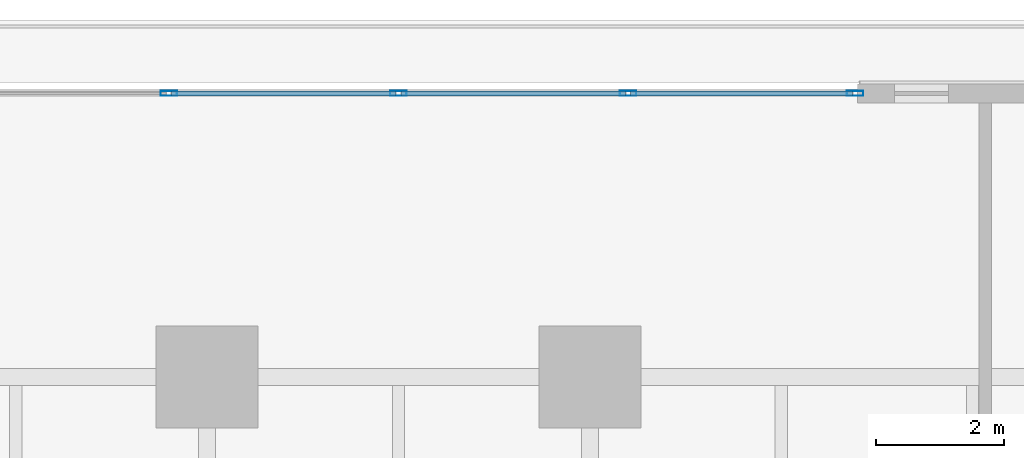
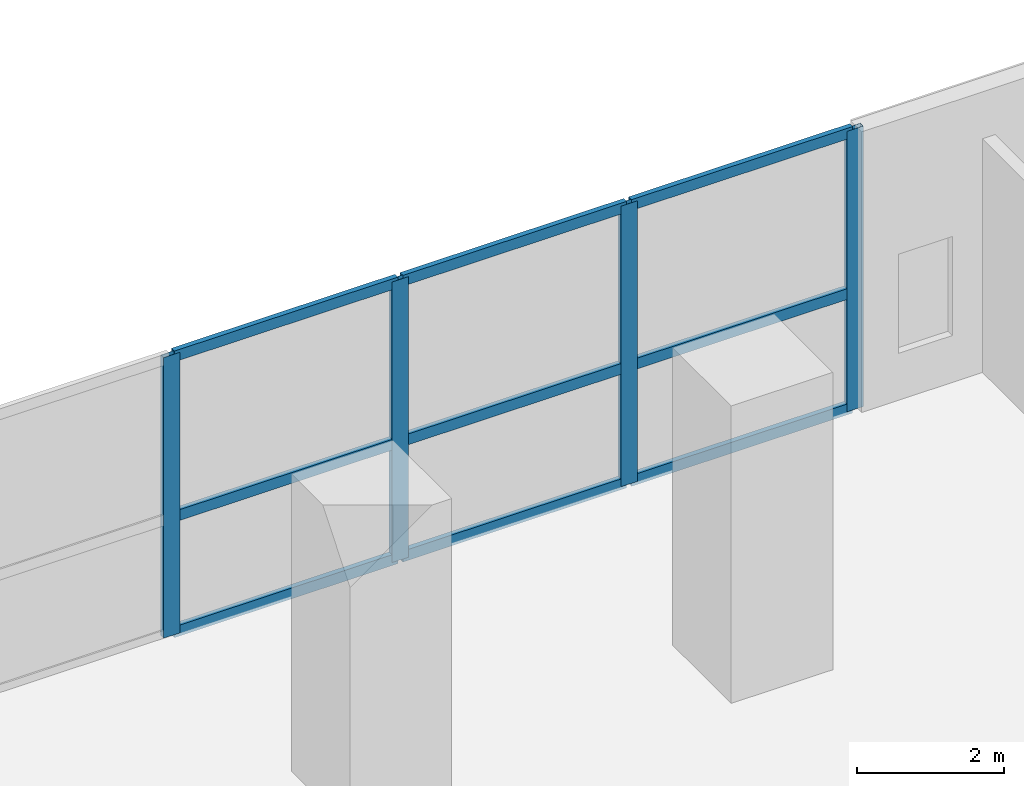
# One storey, part 8 of 27: 13 members, 1 element without a shape of its own.
"""IFC4 building model written with IfcOpenShell, lengths in metres."""

from ifc_helpers import new_model, si_unit, direction, frame, origin, origin_2d, place, context, subcontext, project, spatial, hollow_rectangle, extrude, material, layer, layer_set, material_profile, profile_set, type_object, element, aggregate, save


model = new_model("IFC4")

# Units and contexts
model_context = context("Model", 3, precision=1e-05, world=origin(), true_north=direction((0.0, 1.0)))
body_context = subcontext(model_context, "Body", "Model", "MODEL_VIEW")
ifc_project = project(units=[si_unit("LENGTHUNIT", "METRE"), si_unit("AREAUNIT", "SQUARE_METRE"), si_unit("VOLUMEUNIT", "CUBIC_METRE"), si_unit("PLANEANGLEUNIT", "RADIAN"), si_unit("MASSUNIT", "GRAM", prefix="KILO")], contexts=[model_context])

# Site, building, storey
site_placement = place(None, origin())
site = spatial("IfcSite", under=ifc_project, at=site_placement, CompositionType="ELEMENT")
building_placement = place(site_placement, origin())
building = spatial("IfcBuilding", under=site, at=building_placement, Name="Tanjung Sevakor Pilgrim Tower", CompositionType="ELEMENT")
storey_placement = place(building_placement, frame((0.0, 0.0, 9.89990234375)))
storey = spatial("IfcBuildingStorey", under=building, at=storey_placement, Name="L03", CompositionType="ELEMENT", Elevation=9.89990234375)

# Curtain wall, members
ifc_material_1 = material(Name="Aluminium 6063-T6 and Low-E Glass", Category="aluminium")
ifc_layer = layer(ifc_material_1, 0.179931640625)
ifc_layer_set = layer_set([ifc_layer], Name="CW-SYS-POD")
curtain_wall_type = type_object("IfcCurtainWallType", Name="CW-SYS-POD", PredefinedType="NOTDEFINED", material=ifc_layer_set)
curtain_wall_placement = place(storey_placement, origin())
curtain_wall = element("IfcCurtainWall", 1, at=curtain_wall_placement, inside=storey, type_object=curtain_wall_type, Name="L03 Curtain Wall CW-POD-L03-N", PredefinedType="NOTDEFINED")
ifc_material_2 = material(Name="Aluminium 6063-T6", Category="aluminium")
ifc_material_profile_1 = material_profile(ifc_material_2, hollow_rectangle(XDim=0.080078125, YDim=0.260009765625, WallThickness=0.0048828125, at=origin_2d()))
ifc_profile_set_1 = profile_set([ifc_material_profile_1], Name="Aluminium 6063-T6")
member_type_1 = type_object("IfcMemberType", Name="TYPE-CWM-3", PredefinedType="MULLION", material=ifc_profile_set_1)
member_1_placement = place(storey_placement, frame((64.159912109375, 65.050048828125, 0.0), z_axis=(0.0, 0.0, 1.0), x_axis=(0.0, -1.0, 0.0)))
member_1 = element("IfcMember", 2, at=member_1_placement, type_object=member_type_1, Name="CW-POD mullion 1", PredefinedType="MULLION", context=body_context, shape_type="SweptSolid", body=[
    extrude(hollow_rectangle(XDim=0.080078125, YDim=0.260009765625, WallThickness=0.0048828125, at=origin_2d()), origin(), (0.0, 0.0, 1.0), 4.670166015625),
])
member_2_placement = place(storey_placement, frame((60.60009765625, 65.050048828125, 0.0), z_axis=(0.0, 0.0, 1.0), x_axis=(0.0, -1.0, 0.0)))
member_2 = element("IfcMember", 3, at=member_2_placement, type_object=member_type_1, Name="CW-POD mullion 2", PredefinedType="MULLION", context=body_context, shape_type="SweptSolid", body=[
    extrude(hollow_rectangle(XDim=0.080078125, YDim=0.260009765625, WallThickness=0.0048828125, at=origin_2d()), origin(), (0.0, 0.0, 1.0), 4.670166015625),
])
member_3_placement = place(storey_placement, frame((57.0, 65.050048828125, 0.0), z_axis=(0.0, 0.0, 1.0), x_axis=(0.0, -1.0, 0.0)))
member_3 = element("IfcMember", 4, at=member_3_placement, type_object=member_type_1, Name="CW-POD mullion 3", PredefinedType="MULLION", context=body_context, shape_type="SweptSolid", body=[
    extrude(hollow_rectangle(XDim=0.080078125, YDim=0.260009765625, WallThickness=0.0048828125, at=origin_2d()), origin(), (0.0, 0.0, 1.0), 4.670166015625),
])
member_4_placement = place(storey_placement, frame((53.39990234375, 65.050048828125, 0.0), z_axis=(0.0, 0.0, 1.0), x_axis=(0.0, -1.0, 0.0)))
member_4 = element("IfcMember", 5, at=member_4_placement, type_object=member_type_1, Name="CW-POD mullion 4", PredefinedType="MULLION", context=body_context, shape_type="SweptSolid", body=[
    extrude(hollow_rectangle(XDim=0.080078125, YDim=0.260009765625, WallThickness=0.0048828125, at=origin_2d()), origin(), (0.0, 0.0, 1.0), 4.670166015625),
])
ifc_material_3 = material(Name="Aluminium 6063-T6", Category="aluminium")
ifc_material_profile_2 = material_profile(ifc_material_3, hollow_rectangle(XDim=0.080078125, YDim=0.179931640625, WallThickness=0.0048828125, at=origin_2d()))
ifc_profile_set_2 = profile_set([ifc_material_profile_2], Name="Aluminium 6063-T6")
member_type_2 = type_object("IfcMemberType", Name="TYPE-CWT-3", PredefinedType="USERDEFINED", material=ifc_profile_set_2)
member_5_placement = place(storey_placement, frame((64.1201171875, 65.050048828125, 0.0400390625), z_axis=(-1.0, 0.0, 0.0), x_axis=(0.0, -1.0, 0.0)))
member_5 = element("IfcMember", 6, at=member_5_placement, type_object=member_type_2, Name="CW-POD transom 1.1", ObjectType="TRANSOM", PredefinedType="USERDEFINED", context=body_context, shape_type="SweptSolid", body=[
    extrude(hollow_rectangle(XDim=0.080078125, YDim=0.179931640625, WallThickness=0.0048828125, at=origin_2d()), origin(), (0.0, 0.0, 1.0), 3.480224609375),
])
member_6_placement = place(storey_placement, frame((64.1201171875, 65.050048828125, 1.96142578125), z_axis=(-1.0, 0.0, 0.0), x_axis=(0.0, -1.0, 0.0)))
member_6 = element("IfcMember", 7, at=member_6_placement, type_object=member_type_2, Name="CW-POD transom 1.2", ObjectType="TRANSOM", PredefinedType="USERDEFINED", context=body_context, shape_type="SweptSolid", body=[
    extrude(hollow_rectangle(XDim=0.080078125, YDim=0.179931640625, WallThickness=0.0048828125, at=origin_2d()), origin(), (0.0, 0.0, 1.0), 3.480224609375),
])
member_7_placement = place(storey_placement, frame((64.1201171875, 65.050048828125, 4.630126953125), z_axis=(-1.0, 0.0, 0.0), x_axis=(0.0, -1.0, 0.0)))
member_7 = element("IfcMember", 8, at=member_7_placement, type_object=member_type_2, Name="CW-POD transom 1.3", ObjectType="TRANSOM", PredefinedType="USERDEFINED", context=body_context, shape_type="SweptSolid", body=[
    extrude(hollow_rectangle(XDim=0.080078125, YDim=0.179931640625, WallThickness=0.0048828125, at=origin_2d()), origin(), (0.0, 0.0, 1.0), 3.480224609375),
])
member_8_placement = place(storey_placement, frame((60.56005859375, 65.050048828125, 0.0400390625), z_axis=(-1.0, 0.0, 0.0), x_axis=(0.0, -1.0, 0.0)))
member_8 = element("IfcMember", 9, at=member_8_placement, type_object=member_type_2, Name="CW-POD transom 2.1", ObjectType="TRANSOM", PredefinedType="USERDEFINED", context=body_context, shape_type="SweptSolid", body=[
    extrude(hollow_rectangle(XDim=0.080078125, YDim=0.179931640625, WallThickness=0.0048828125, at=origin_2d()), origin(), (0.0, 0.0, 1.0), 3.52001953125),
])
member_9_placement = place(storey_placement, frame((60.56005859375, 65.050048828125, 1.96142578125), z_axis=(-1.0, 0.0, 0.0), x_axis=(0.0, -1.0, 0.0)))
member_9 = element("IfcMember", 10, at=member_9_placement, type_object=member_type_2, Name="CW-POD transom 2.2", ObjectType="TRANSOM", PredefinedType="USERDEFINED", context=body_context, shape_type="SweptSolid", body=[
    extrude(hollow_rectangle(XDim=0.080078125, YDim=0.179931640625, WallThickness=0.0048828125, at=origin_2d()), origin(), (0.0, 0.0, 1.0), 3.52001953125),
])
member_10_placement = place(storey_placement, frame((60.56005859375, 65.050048828125, 4.630126953125), z_axis=(-1.0, 0.0, 0.0), x_axis=(0.0, -1.0, 0.0)))
member_10 = element("IfcMember", 11, at=member_10_placement, type_object=member_type_2, Name="CW-POD transom 2.3", ObjectType="TRANSOM", PredefinedType="USERDEFINED", context=body_context, shape_type="SweptSolid", body=[
    extrude(hollow_rectangle(XDim=0.080078125, YDim=0.179931640625, WallThickness=0.0048828125, at=origin_2d()), origin(), (0.0, 0.0, 1.0), 3.52001953125),
])
member_11_placement = place(storey_placement, frame((56.9599609375, 65.050048828125, 0.0400390625), z_axis=(-1.0, 0.0, 0.0), x_axis=(0.0, -1.0, 0.0)))
member_11 = element("IfcMember", 12, at=member_11_placement, type_object=member_type_2, Name="CW-POD transom 3.1", ObjectType="TRANSOM", PredefinedType="USERDEFINED", context=body_context, shape_type="SweptSolid", body=[
    extrude(hollow_rectangle(XDim=0.080078125, YDim=0.179931640625, WallThickness=0.0048828125, at=origin_2d()), origin(), (0.0, 0.0, 1.0), 3.52001953125),
])
member_12_placement = place(storey_placement, frame((56.9599609375, 65.050048828125, 1.96142578125), z_axis=(-1.0, 0.0, 0.0), x_axis=(0.0, -1.0, 0.0)))
member_12 = element("IfcMember", 13, at=member_12_placement, type_object=member_type_2, Name="CW-POD transom 3.2", ObjectType="TRANSOM", PredefinedType="USERDEFINED", context=body_context, shape_type="SweptSolid", body=[
    extrude(hollow_rectangle(XDim=0.080078125, YDim=0.179931640625, WallThickness=0.0048828125, at=origin_2d()), origin(), (0.0, 0.0, 1.0), 3.52001953125),
])
member_13_placement = place(storey_placement, frame((56.9599609375, 65.050048828125, 4.630126953125), z_axis=(-1.0, 0.0, 0.0), x_axis=(0.0, -1.0, 0.0)))
member_13 = element("IfcMember", 14, at=member_13_placement, type_object=member_type_2, Name="CW-POD transom 3.3", ObjectType="TRANSOM", PredefinedType="USERDEFINED", context=body_context, shape_type="SweptSolid", body=[
    extrude(hollow_rectangle(XDim=0.080078125, YDim=0.179931640625, WallThickness=0.0048828125, at=origin_2d()), origin(), (0.0, 0.0, 1.0), 3.52001953125),
])
aggregate(curtain_wall, [member_1, member_2, member_3, member_4, member_5, member_6, member_7, member_8, member_9, member_10, member_11, member_12, member_13])

save(model, "model.ifc")
